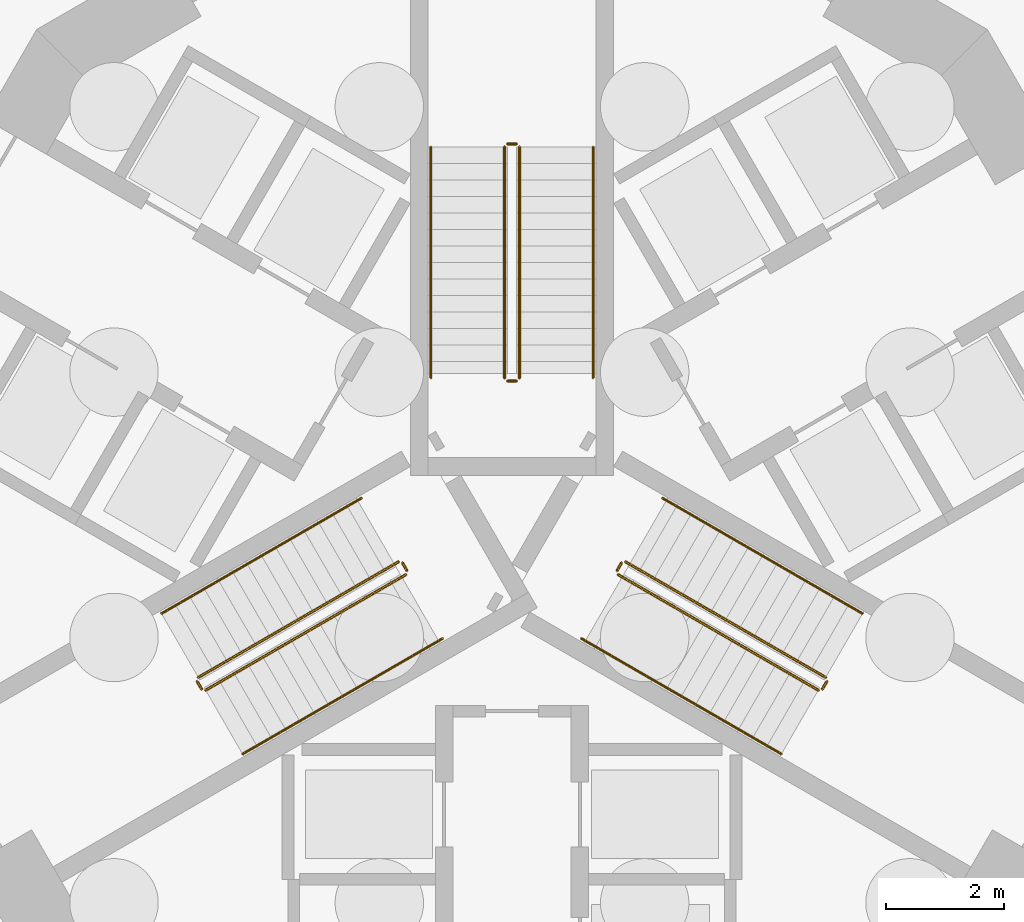
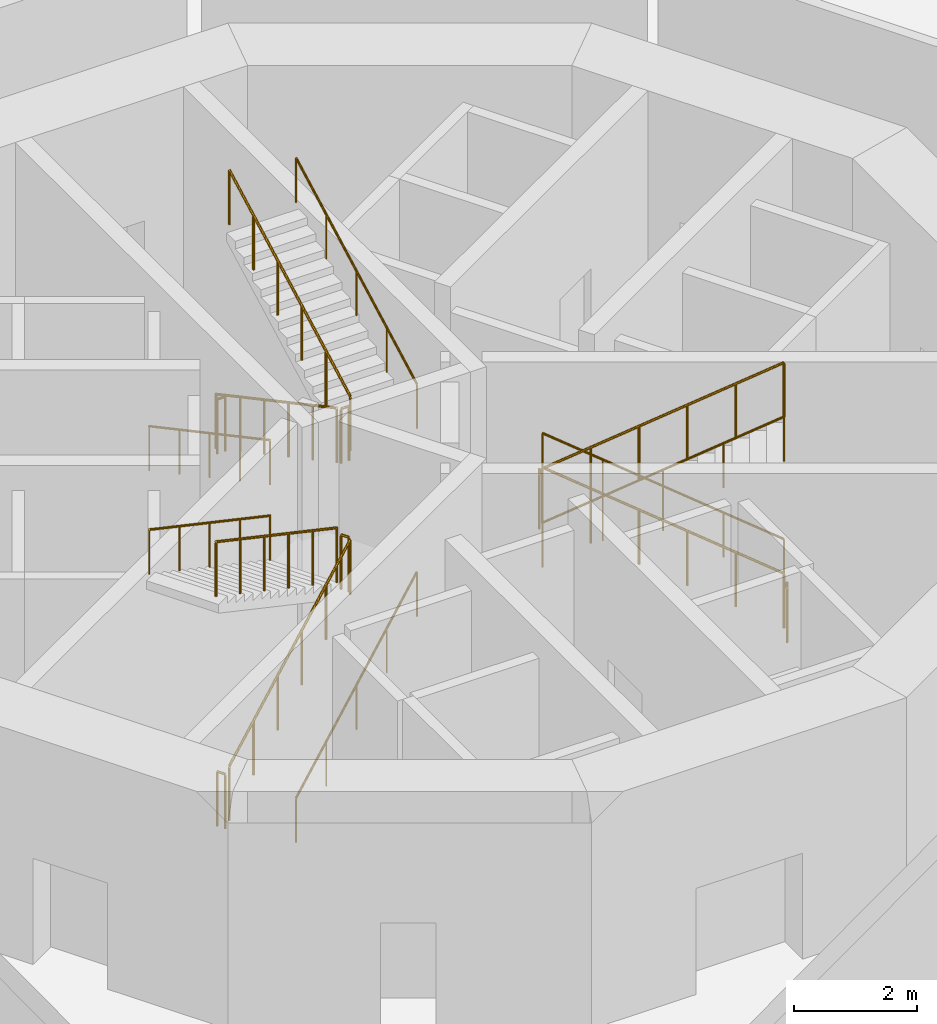
# One storey, part 17 of 23: 22 railings.
"""IFC4 building model written with IfcOpenShell, lengths in metres."""

from ifc_helpers import new_model, si_unit, direction, frame, origin, origin_2d, place, context, subcontext, project, spatial, circle, extrude, material, type_object, element, save


model = new_model("IFC4")

# Units and contexts
model_context = context("Model", 3, precision=1e-05, world=origin(), true_north=direction((0.0, 1.0)))
body_context = subcontext(model_context, "Body", "Model", "MODEL_VIEW")
ifc_project = project(units=[si_unit("LENGTHUNIT", "METRE"), si_unit("AREAUNIT", "SQUARE_METRE"), si_unit("VOLUMEUNIT", "CUBIC_METRE"), si_unit("PLANEANGLEUNIT", "RADIAN"), si_unit("MASSUNIT", "GRAM", prefix="KILO")], contexts=[model_context])

# Site, building, storey
site_placement = place(None, origin())
site = spatial("IfcSite", under=ifc_project, at=site_placement, CompositionType="ELEMENT")
building_placement = place(site_placement, origin())
building = spatial("IfcBuilding", under=site, at=building_placement, Name="Trine Commons Tower", CompositionType="ELEMENT")
storey_placement = place(building_placement, frame((0.0, 0.0, -9.0)))
storey = spatial("IfcBuildingStorey", under=building, at=storey_placement, Name="B2", CompositionType="ELEMENT", Elevation=-9.0)

# Railings
ifc_material_1 = material(Name="Stainless steel balustrade", Category="steel")
railing_type_1 = type_object("IfcRailingType", Name="Stair guard, steel balustrade 1100", PredefinedType="GUARDRAIL", material=ifc_material_1)
railing_1_placement = place(storey_placement, frame((79.875, 68.570556640625, 0.14990234375)))
element("IfcRailing", 1, at=railing_1_placement, inside=storey, type_object=railing_type_1, Name="B2 ST1A stair guard 1", PredefinedType="GUARDRAIL", context=body_context, shape_type="SweptSolid", body=[
    extrude(circle(Radius=0.02392578125, at=origin_2d()), frame((0.0, 0.0, 1.076171875), z_axis=(0.0, -0.881466911329, 0.472245787945), x_axis=(1.0, 0.0, 0.0)), (0.0, 0.0, 1.0), 4.447021484375),
    extrude(circle(Radius=0.02099609375, at=origin_2d()), origin(), (0.0, 0.0, 1.0), 1.052001953125),
    extrude(circle(Radius=0.02099609375, at=origin_2d()), frame((0.0, -0.783935546875, 0.419921875)), (0.0, 0.0, 1.0), 1.052001953125),
    extrude(circle(Radius=0.02099609375, at=origin_2d()), frame((0.0, -1.56787109375, 0.840087890625)), (0.0, 0.0, 1.0), 1.052001953125),
    extrude(circle(Radius=0.02099609375, at=origin_2d()), frame((0.0, -2.35205078125, 1.260009765625)), (0.0, 0.0, 1.0), 1.052001953125),
    extrude(circle(Radius=0.02099609375, at=origin_2d()), frame((0.0, -3.135986328125, 1.68017578125)), (0.0, 0.0, 1.0), 1.052001953125),
    extrude(circle(Radius=0.02099609375, at=origin_2d()), frame((0.0, -3.919921875, 2.10009765625)), (0.0, 0.0, 1.0), 1.052001953125),
])
railing_2_placement = place(storey_placement, frame((79.925048828125, 64.6005859375, 2.25)))
element("IfcRailing", 2, at=railing_2_placement, inside=storey, type_object=railing_type_1, Name="B2 ST1A stair guard 2", PredefinedType="GUARDRAIL", context=body_context, shape_type="SweptSolid", body=[
    extrude(circle(Radius=0.02392578125, at=origin_2d()), frame((0.0, 0.0, 1.076171875), z_axis=(1.0, 0.0, 0.0), x_axis=(0.0, 1.0, 0.0)), (0.0, 0.0, 1.0), 0.14990234375),
    extrude(circle(Radius=0.02099609375, at=origin_2d()), origin(), (0.0, 0.0, 1.0), 1.052001953125),
    extrude(circle(Radius=0.02099609375, at=origin_2d()), frame((0.14990234375, 0.0, 0.0)), (0.0, 0.0, 1.0), 1.052001953125),
])
railing_3_placement = place(storey_placement, frame((80.125, 64.650634765625, 2.39990234375)))
element("IfcRailing", 3, at=railing_3_placement, inside=storey, type_object=railing_type_1, Name="B2 ST1A stair guard 3", PredefinedType="GUARDRAIL", context=body_context, shape_type="SweptSolid", body=[
    extrude(circle(Radius=0.02392578125, at=origin_2d()), frame((0.0, 0.0, 1.076171875), z_axis=(0.0, 0.881466911329, 0.472245787945), x_axis=(-1.0, 0.0, 0.0)), (0.0, 0.0, 1.0), 4.447021484375),
    extrude(circle(Radius=0.02099609375, at=origin_2d()), origin(), (0.0, 0.0, 1.0), 1.052001953125),
    extrude(circle(Radius=0.02099609375, at=origin_2d()), frame((0.0, 0.783935546875, 0.419921875)), (0.0, 0.0, 1.0), 1.052001953125),
    extrude(circle(Radius=0.02099609375, at=origin_2d()), frame((0.0, 1.56787109375, 0.840087890625)), (0.0, 0.0, 1.0), 1.052001953125),
    extrude(circle(Radius=0.02099609375, at=origin_2d()), frame((0.0, 2.35205078125, 1.260009765625)), (0.0, 0.0, 1.0), 1.052001953125),
    extrude(circle(Radius=0.02099609375, at=origin_2d()), frame((0.0, 3.135986328125, 1.68017578125)), (0.0, 0.0, 1.0), 1.052001953125),
    extrude(circle(Radius=0.02099609375, at=origin_2d()), frame((0.0, 3.919921875, 2.10009765625)), (0.0, 0.0, 1.0), 1.052001953125),
])
railing_4_placement = place(storey_placement, frame((79.925048828125, 68.62060546875, 0.0)))
element("IfcRailing", 4, at=railing_4_placement, inside=storey, type_object=railing_type_1, Name="B2 ST1A stair guard 4", PredefinedType="GUARDRAIL", context=body_context, shape_type="SweptSolid", body=[
    extrude(circle(Radius=0.02392578125, at=origin_2d()), frame((0.0, 0.0, 1.076171875), z_axis=(1.0, 0.0, 0.0), x_axis=(0.0, 1.0, 0.0)), (0.0, 0.0, 1.0), 0.14990234375),
    extrude(circle(Radius=0.02099609375, at=origin_2d()), origin(), (0.0, 0.0, 1.0), 1.052001953125),
    extrude(circle(Radius=0.02099609375, at=origin_2d()), frame((0.14990234375, 0.0, 0.0)), (0.0, 0.0, 1.0), 1.052001953125),
])
railing_5_placement = place(storey_placement, frame((74.80517578125, 59.3564453125, 0.14990234375)))
element("IfcRailing", 5, at=railing_5_placement, inside=storey, type_object=railing_type_1, Name="B2 ST2A stair guard 1", PredefinedType="GUARDRAIL", context=body_context, shape_type="SweptSolid", body=[
    extrude(circle(Radius=0.02392578125, at=origin_2d()), frame((0.0, 0.0, 1.076171875), z_axis=(0.763374939589, 0.440731680332, 0.472243885677), x_axis=(-0.499997407846, 0.86602690036, 0.0)), (0.0, 0.0, 1.0), 4.447021484375),
    extrude(circle(Radius=0.02099609375, at=origin_2d()), origin(), (0.0, 0.0, 1.0), 1.052001953125),
    extrude(circle(Radius=0.02099609375, at=origin_2d()), frame((0.678955078125, 0.39208984375, 0.419921875)), (0.0, 0.0, 1.0), 1.052001953125),
    extrude(circle(Radius=0.02099609375, at=origin_2d()), frame((1.35791015625, 0.783935546875, 0.840087890625)), (0.0, 0.0, 1.0), 1.052001953125),
    extrude(circle(Radius=0.02099609375, at=origin_2d()), frame((2.036865234375, 1.176025390625, 1.260009765625)), (0.0, 0.0, 1.0), 1.052001953125),
    extrude(circle(Radius=0.02099609375, at=origin_2d()), frame((2.7158203125, 1.56787109375, 1.68017578125)), (0.0, 0.0, 1.0), 1.052001953125),
    extrude(circle(Radius=0.02099609375, at=origin_2d()), frame((3.394775390625, 1.9599609375, 2.10009765625)), (0.0, 0.0, 1.0), 1.052001953125),
])
railing_6_placement = place(storey_placement, frame((78.21826171875, 61.384765625, 2.25)))
element("IfcRailing", 6, at=railing_6_placement, inside=storey, type_object=railing_type_1, Name="B2 ST2A stair guard 2", PredefinedType="GUARDRAIL", context=body_context, shape_type="SweptSolid", body=[
    extrude(circle(Radius=0.02392578125, at=origin_2d()), frame((0.0, 0.0, 1.076171875), z_axis=(-0.499816412211, 0.866131372301, 0.0), x_axis=(-0.866131372301, -0.499816412211, 0.0)), (0.0, 0.0, 1.0), 0.14990234375),
    extrude(circle(Radius=0.02099609375, at=origin_2d()), origin(), (0.0, 0.0, 1.0), 1.052001953125),
    extrude(circle(Radius=0.02099609375, at=origin_2d()), frame((-0.074951171875, 0.1298828125, 0.0)), (0.0, 0.0, 1.0), 1.052001953125),
])
railing_7_placement = place(storey_placement, frame((78.074951171875, 61.532958984375, 2.39990234375)))
element("IfcRailing", 7, at=railing_7_placement, inside=storey, type_object=railing_type_1, Name="B2 ST2A stair guard 3", PredefinedType="GUARDRAIL", context=body_context, shape_type="SweptSolid", body=[
    extrude(circle(Radius=0.02392578125, at=origin_2d()), frame((0.0, 0.0, 1.076171875), z_axis=(-0.763374939589, -0.440731680332, 0.472243885677), x_axis=(0.499997407846, -0.86602690036, 0.0)), (0.0, 0.0, 1.0), 4.447021484375),
    extrude(circle(Radius=0.02099609375, at=origin_2d()), origin(), (0.0, 0.0, 1.0), 1.052001953125),
    extrude(circle(Radius=0.02099609375, at=origin_2d()), frame((-0.678955078125, -0.39208984375, 0.419921875)), (0.0, 0.0, 1.0), 1.052001953125),
    extrude(circle(Radius=0.02099609375, at=origin_2d()), frame((-1.35791015625, -0.783935546875, 0.840087890625)), (0.0, 0.0, 1.0), 1.052001953125),
    extrude(circle(Radius=0.02099609375, at=origin_2d()), frame((-2.036865234375, -1.176025390625, 1.260009765625)), (0.0, 0.0, 1.0), 1.052001953125),
    extrude(circle(Radius=0.02099609375, at=origin_2d()), frame((-2.7158203125, -1.56787109375, 1.68017578125)), (0.0, 0.0, 1.0), 1.052001953125),
    extrude(circle(Radius=0.02099609375, at=origin_2d()), frame((-3.394775390625, -1.9599609375, 2.10009765625)), (0.0, 0.0, 1.0), 1.052001953125),
])
railing_8_placement = place(storey_placement, frame((74.73681640625, 59.374755859375, 0.0)))
element("IfcRailing", 8, at=railing_8_placement, inside=storey, type_object=railing_type_1, Name="B2 ST2A stair guard 4", PredefinedType="GUARDRAIL", context=body_context, shape_type="SweptSolid", body=[
    extrude(circle(Radius=0.02392578125, at=origin_2d()), frame((0.0, 0.0, 1.076171875), z_axis=(-0.499816412211, 0.866131372301, 0.0), x_axis=(-0.866131372301, -0.499816412211, 0.0)), (0.0, 0.0, 1.0), 0.14990234375),
    extrude(circle(Radius=0.02099609375, at=origin_2d()), origin(), (0.0, 0.0, 1.0), 1.052001953125),
    extrude(circle(Radius=0.02099609375, at=origin_2d()), frame((-0.074951171875, 0.1298828125, 0.0)), (0.0, 0.0, 1.0), 1.052001953125),
])
railing_9_placement = place(storey_placement, frame((85.31982421875, 59.572998046875, 0.14990234375)))
element("IfcRailing", 9, at=railing_9_placement, inside=storey, type_object=railing_type_1, Name="B2 ST3A stair guard 1", PredefinedType="GUARDRAIL", context=body_context, shape_type="SweptSolid", body=[
    extrude(circle(Radius=0.02392578125, at=origin_2d()), frame((0.0, 0.0, 1.076171875), z_axis=(-0.763374939589, 0.440731680332, 0.472243885677), x_axis=(-0.499997407846, -0.86602690036, 0.0)), (0.0, 0.0, 1.0), 4.447021484375),
    extrude(circle(Radius=0.02099609375, at=origin_2d()), origin(), (0.0, 0.0, 1.0), 1.052001953125),
    extrude(circle(Radius=0.02099609375, at=origin_2d()), frame((-0.678955078125, 0.39208984375, 0.419921875)), (0.0, 0.0, 1.0), 1.052001953125),
    extrude(circle(Radius=0.02099609375, at=origin_2d()), frame((-1.35791015625, 0.783935546875, 0.840087890625)), (0.0, 0.0, 1.0), 1.052001953125),
    extrude(circle(Radius=0.02099609375, at=origin_2d()), frame((-2.036865234375, 1.176025390625, 1.260009765625)), (0.0, 0.0, 1.0), 1.052001953125),
    extrude(circle(Radius=0.02099609375, at=origin_2d()), frame((-2.7158203125, 1.56787109375, 1.68017578125)), (0.0, 0.0, 1.0), 1.052001953125),
    extrude(circle(Radius=0.02099609375, at=origin_2d()), frame((-3.394775390625, 1.9599609375, 2.10009765625)), (0.0, 0.0, 1.0), 1.052001953125),
])
railing_10_placement = place(storey_placement, frame((81.856689453125, 61.5146484375, 2.25)))
element("IfcRailing", 10, at=railing_10_placement, inside=storey, type_object=railing_type_1, Name="B2 ST3A stair guard 2", PredefinedType="GUARDRAIL", context=body_context, shape_type="SweptSolid", body=[
    extrude(circle(Radius=0.02392578125, at=origin_2d()), frame((0.0, 0.0, 1.076171875), z_axis=(-0.499816412211, -0.866131372301, 0.0), x_axis=(0.866131372301, -0.499816412211, 0.0)), (0.0, 0.0, 1.0), 0.14990234375),
    extrude(circle(Radius=0.02099609375, at=origin_2d()), origin(), (0.0, 0.0, 1.0), 1.052001953125),
    extrude(circle(Radius=0.02099609375, at=origin_2d()), frame((-0.074951171875, -0.1298828125, 0.0)), (0.0, 0.0, 1.0), 1.052001953125),
])
railing_11_placement = place(storey_placement, frame((81.800048828125, 61.31640625, 2.39990234375)))
element("IfcRailing", 11, at=railing_11_placement, inside=storey, type_object=railing_type_1, Name="B2 ST3A stair guard 3", PredefinedType="GUARDRAIL", context=body_context, shape_type="SweptSolid", body=[
    extrude(circle(Radius=0.02392578125, at=origin_2d()), frame((0.0, 0.0, 1.076171875), z_axis=(0.763374939589, -0.440731680332, 0.472243885677), x_axis=(0.499997407846, 0.86602690036, 0.0)), (0.0, 0.0, 1.0), 4.447021484375),
    extrude(circle(Radius=0.02099609375, at=origin_2d()), origin(), (0.0, 0.0, 1.0), 1.052001953125),
    extrude(circle(Radius=0.02099609375, at=origin_2d()), frame((0.678955078125, -0.39208984375, 0.419921875)), (0.0, 0.0, 1.0), 1.052001953125),
    extrude(circle(Radius=0.02099609375, at=origin_2d()), frame((1.35791015625, -0.783935546875, 0.840087890625)), (0.0, 0.0, 1.0), 1.052001953125),
    extrude(circle(Radius=0.02099609375, at=origin_2d()), frame((2.036865234375, -1.176025390625, 1.260009765625)), (0.0, 0.0, 1.0), 1.052001953125),
    extrude(circle(Radius=0.02099609375, at=origin_2d()), frame((2.7158203125, -1.56787109375, 1.68017578125)), (0.0, 0.0, 1.0), 1.052001953125),
    extrude(circle(Radius=0.02099609375, at=origin_2d()), frame((3.394775390625, -1.9599609375, 2.10009765625)), (0.0, 0.0, 1.0), 1.052001953125),
])
railing_12_placement = place(storey_placement, frame((85.338134765625, 59.504638671875, 0.0)))
element("IfcRailing", 12, at=railing_12_placement, inside=storey, type_object=railing_type_1, Name="B2 ST3A stair guard 4", PredefinedType="GUARDRAIL", context=body_context, shape_type="SweptSolid", body=[
    extrude(circle(Radius=0.02392578125, at=origin_2d()), frame((0.0, 0.0, 1.076171875), z_axis=(-0.499816412211, -0.866131372301, 0.0), x_axis=(0.866131372301, -0.499816412211, 0.0)), (0.0, 0.0, 1.0), 0.14990234375),
    extrude(circle(Radius=0.02099609375, at=origin_2d()), origin(), (0.0, 0.0, 1.0), 1.052001953125),
    extrude(circle(Radius=0.02099609375, at=origin_2d()), frame((-0.074951171875, -0.1298828125, 0.0)), (0.0, 0.0, 1.0), 1.052001953125),
])
ifc_material_2 = material(Name="Stainless steel handrail", Category="steel")
railing_type_2 = type_object("IfcRailingType", Name="Stair handrail, steel 900", PredefinedType="HANDRAIL", material=ifc_material_2)
railing_13_placement = place(storey_placement, frame((78.625, 68.570556640625, 0.14990234375)))
element("IfcRailing", 13, at=railing_13_placement, inside=storey, type_object=railing_type_2, Name="B2 ST1A stair handrail 1", PredefinedType="HANDRAIL", context=body_context, shape_type="SweptSolid", body=[
    extrude(circle(Radius=0.02099609375, at=origin_2d()), frame((0.0, 0.0, 0.87890625), z_axis=(0.0, -0.881466911329, 0.472245787945), x_axis=(1.0, 0.0, 0.0)), (0.0, 0.0, 1.0), 4.447021484375),
    extrude(circle(Radius=0.01513671875, at=origin_2d()), origin(), (0.0, 0.0, 1.0), 0.85791015625),
    extrude(circle(Radius=0.01513671875, at=origin_2d()), frame((0.0, -0.97998046875, 0.52490234375)), (0.0, 0.0, 1.0), 0.85791015625),
    extrude(circle(Radius=0.01513671875, at=origin_2d()), frame((0.0, -1.9599609375, 1.050048828125)), (0.0, 0.0, 1.0), 0.85791015625),
    extrude(circle(Radius=0.01513671875, at=origin_2d()), frame((0.0, -2.93994140625, 1.5751953125)), (0.0, 0.0, 1.0), 0.85791015625),
    extrude(circle(Radius=0.01513671875, at=origin_2d()), frame((0.0, -3.919921875, 2.10009765625)), (0.0, 0.0, 1.0), 0.85791015625),
])
railing_14_placement = place(storey_placement, frame((81.375, 64.650634765625, 2.39990234375)))
element("IfcRailing", 14, at=railing_14_placement, inside=storey, type_object=railing_type_2, Name="B2 ST1A stair handrail 2", PredefinedType="HANDRAIL", context=body_context, shape_type="SweptSolid", body=[
    extrude(circle(Radius=0.02099609375, at=origin_2d()), frame((0.0, 0.0, 0.87890625), z_axis=(0.0, 0.881466911329, 0.472245787945), x_axis=(-1.0, 0.0, 0.0)), (0.0, 0.0, 1.0), 4.447021484375),
    extrude(circle(Radius=0.01513671875, at=origin_2d()), origin(), (0.0, 0.0, 1.0), 0.85791015625),
    extrude(circle(Radius=0.01513671875, at=origin_2d()), frame((0.0, 0.97998046875, 0.52490234375)), (0.0, 0.0, 1.0), 0.85791015625),
    extrude(circle(Radius=0.01513671875, at=origin_2d()), frame((0.0, 1.9599609375, 1.050048828125)), (0.0, 0.0, 1.0), 0.85791015625),
    extrude(circle(Radius=0.01513671875, at=origin_2d()), frame((0.0, 2.93994140625, 1.5751953125)), (0.0, 0.0, 1.0), 0.85791015625),
    extrude(circle(Radius=0.01513671875, at=origin_2d()), frame((0.0, 3.919921875, 2.10009765625)), (0.0, 0.0, 1.0), 0.85791015625),
])
railing_15_placement = place(storey_placement, frame((75.43017578125, 58.27392578125, 0.14990234375)))
element("IfcRailing", 15, at=railing_15_placement, inside=storey, type_object=railing_type_2, Name="B2 ST2A stair handrail 1", PredefinedType="HANDRAIL", context=body_context, shape_type="SweptSolid", body=[
    extrude(circle(Radius=0.02099609375, at=origin_2d()), frame((0.0, 0.0, 0.87890625), z_axis=(0.763397845365, 0.440713210311, 0.472224095054), x_axis=(-0.499970440388, 0.866042469362, 0.0)), (0.0, 0.0, 1.0), 2.2236328125),
    extrude(circle(Radius=0.01513671875, at=origin_2d()), origin(), (0.0, 0.0, 1.0), 0.85791015625),
    extrude(circle(Radius=0.01513671875, at=origin_2d()), frame((0.8486328125, 0.489990234375, 0.52490234375)), (0.0, 0.0, 1.0), 0.85791015625),
    extrude(circle(Radius=0.01513671875, at=origin_2d()), frame((1.697509765625, 0.97998046875, 1.050048828125)), (0.0, 0.0, 1.0), 0.85791015625),
])
railing_16_placement = place(storey_placement, frame((77.127685546875, 59.25390625, 1.199951171875)))
element("IfcRailing", 16, at=railing_16_placement, inside=storey, type_object=railing_type_2, Name="B2 ST2A stair handrail 2", PredefinedType="HANDRAIL", context=body_context, shape_type="SweptSolid", body=[
    extrude(circle(Radius=0.02099609375, at=origin_2d()), frame((0.0, 0.0, 0.87890625), z_axis=(0.763352030933, 0.440750151347, 0.472263677365), x_axis=(-0.500024377727, 0.866011328839, 0.0)), (0.0, 0.0, 1.0), 2.223388671875),
    extrude(circle(Radius=0.01513671875, at=origin_2d()), origin(), (0.0, 0.0, 1.0), 0.85791015625),
    extrude(circle(Radius=0.01513671875, at=origin_2d()), frame((0.8486328125, 0.489990234375, 0.52490234375)), (0.0, 0.0, 1.0), 0.85791015625),
    extrude(circle(Radius=0.01513671875, at=origin_2d()), frame((1.697265625, 0.97998046875, 1.050048828125)), (0.0, 0.0, 1.0), 0.85791015625),
])
railing_17_placement = place(storey_placement, frame((77.449951171875, 62.615478515625, 2.39990234375)))
element("IfcRailing", 17, at=railing_17_placement, inside=storey, type_object=railing_type_2, Name="B2 ST2A stair handrail 3", PredefinedType="HANDRAIL", context=body_context, shape_type="SweptSolid", body=[
    extrude(circle(Radius=0.02099609375, at=origin_2d()), frame((0.0, 0.0, 0.87890625), z_axis=(-0.763352030933, -0.440750151347, 0.472263677365), x_axis=(0.500024377727, -0.866011328839, 0.0)), (0.0, 0.0, 1.0), 2.223388671875),
    extrude(circle(Radius=0.01513671875, at=origin_2d()), origin(), (0.0, 0.0, 1.0), 0.85791015625),
    extrude(circle(Radius=0.01513671875, at=origin_2d()), frame((-0.8486328125, -0.489990234375, 0.52490234375)), (0.0, 0.0, 1.0), 0.85791015625),
    extrude(circle(Radius=0.01513671875, at=origin_2d()), frame((-1.697265625, -0.97998046875, 1.050048828125)), (0.0, 0.0, 1.0), 0.85791015625),
])
railing_18_placement = place(storey_placement, frame((75.752685546875, 61.635498046875, 3.449951171875)))
element("IfcRailing", 18, at=railing_18_placement, inside=storey, type_object=railing_type_2, Name="B2 ST2A stair handrail 4", PredefinedType="HANDRAIL", context=body_context, shape_type="SweptSolid", body=[
    extrude(circle(Radius=0.02099609375, at=origin_2d()), frame((0.0, 0.0, 0.87890625), z_axis=(-0.763397845365, -0.440713210311, 0.472224095054), x_axis=(0.499970440388, -0.866042469362, 0.0)), (0.0, 0.0, 1.0), 2.2236328125),
    extrude(circle(Radius=0.01513671875, at=origin_2d()), origin(), (0.0, 0.0, 1.0), 0.85791015625),
    extrude(circle(Radius=0.01513671875, at=origin_2d()), frame((-0.8486328125, -0.489990234375, 0.52490234375)), (0.0, 0.0, 1.0), 0.85791015625),
    extrude(circle(Radius=0.01513671875, at=origin_2d()), frame((-1.697509765625, -0.97998046875, 1.050048828125)), (0.0, 0.0, 1.0), 0.85791015625),
])
railing_19_placement = place(storey_placement, frame((85.94482421875, 60.655517578125, 0.14990234375)))
element("IfcRailing", 19, at=railing_19_placement, inside=storey, type_object=railing_type_2, Name="B2 ST3A stair handrail 1", PredefinedType="HANDRAIL", context=body_context, shape_type="SweptSolid", body=[
    extrude(circle(Radius=0.02099609375, at=origin_2d()), frame((0.0, 0.0, 0.87890625), z_axis=(-0.763397845365, 0.440713210311, 0.472224095054), x_axis=(-0.499970440388, -0.866042469362, 0.0)), (0.0, 0.0, 1.0), 2.2236328125),
    extrude(circle(Radius=0.01513671875, at=origin_2d()), origin(), (0.0, 0.0, 1.0), 0.85791015625),
    extrude(circle(Radius=0.01513671875, at=origin_2d()), frame((-0.8486328125, 0.489990234375, 0.52490234375)), (0.0, 0.0, 1.0), 0.85791015625),
    extrude(circle(Radius=0.01513671875, at=origin_2d()), frame((-1.697509765625, 0.97998046875, 1.050048828125)), (0.0, 0.0, 1.0), 0.85791015625),
])
railing_20_placement = place(storey_placement, frame((84.247314453125, 61.635498046875, 1.199951171875)))
element("IfcRailing", 20, at=railing_20_placement, inside=storey, type_object=railing_type_2, Name="B2 ST3A stair handrail 2", PredefinedType="HANDRAIL", context=body_context, shape_type="SweptSolid", body=[
    extrude(circle(Radius=0.02099609375, at=origin_2d()), frame((0.0, 0.0, 0.87890625), z_axis=(-0.763352030933, 0.440750151347, 0.472263677365), x_axis=(-0.500024377727, -0.866011328839, 0.0)), (0.0, 0.0, 1.0), 2.223388671875),
    extrude(circle(Radius=0.01513671875, at=origin_2d()), origin(), (0.0, 0.0, 1.0), 0.85791015625),
    extrude(circle(Radius=0.01513671875, at=origin_2d()), frame((-0.8486328125, 0.489990234375, 0.52490234375)), (0.0, 0.0, 1.0), 0.85791015625),
    extrude(circle(Radius=0.01513671875, at=origin_2d()), frame((-1.697265625, 0.97998046875, 1.050048828125)), (0.0, 0.0, 1.0), 0.85791015625),
])
railing_21_placement = place(storey_placement, frame((81.175048828125, 60.23388671875, 2.39990234375)))
element("IfcRailing", 21, at=railing_21_placement, inside=storey, type_object=railing_type_2, Name="B2 ST3A stair handrail 3", PredefinedType="HANDRAIL", context=body_context, shape_type="SweptSolid", body=[
    extrude(circle(Radius=0.02099609375, at=origin_2d()), frame((0.0, 0.0, 0.87890625), z_axis=(0.763352030933, -0.440750151347, 0.472263677365), x_axis=(0.500024377727, 0.866011328839, 0.0)), (0.0, 0.0, 1.0), 2.223388671875),
    extrude(circle(Radius=0.01513671875, at=origin_2d()), origin(), (0.0, 0.0, 1.0), 0.85791015625),
    extrude(circle(Radius=0.01513671875, at=origin_2d()), frame((0.8486328125, -0.489990234375, 0.52490234375)), (0.0, 0.0, 1.0), 0.85791015625),
    extrude(circle(Radius=0.01513671875, at=origin_2d()), frame((1.697265625, -0.97998046875, 1.050048828125)), (0.0, 0.0, 1.0), 0.85791015625),
])
railing_22_placement = place(storey_placement, frame((82.872314453125, 59.25390625, 3.449951171875)))
element("IfcRailing", 22, at=railing_22_placement, inside=storey, type_object=railing_type_2, Name="B2 ST3A stair handrail 4", PredefinedType="HANDRAIL", context=body_context, shape_type="SweptSolid", body=[
    extrude(circle(Radius=0.02099609375, at=origin_2d()), frame((0.0, 0.0, 0.87890625), z_axis=(0.763397845365, -0.440713210311, 0.472224095054), x_axis=(0.499970440388, 0.866042469362, 0.0)), (0.0, 0.0, 1.0), 2.2236328125),
    extrude(circle(Radius=0.01513671875, at=origin_2d()), origin(), (0.0, 0.0, 1.0), 0.85791015625),
    extrude(circle(Radius=0.01513671875, at=origin_2d()), frame((0.8486328125, -0.489990234375, 0.52490234375)), (0.0, 0.0, 1.0), 0.85791015625),
    extrude(circle(Radius=0.01513671875, at=origin_2d()), frame((1.697509765625, -0.97998046875, 1.050048828125)), (0.0, 0.0, 1.0), 0.85791015625),
])

save(model, "model.ifc")
